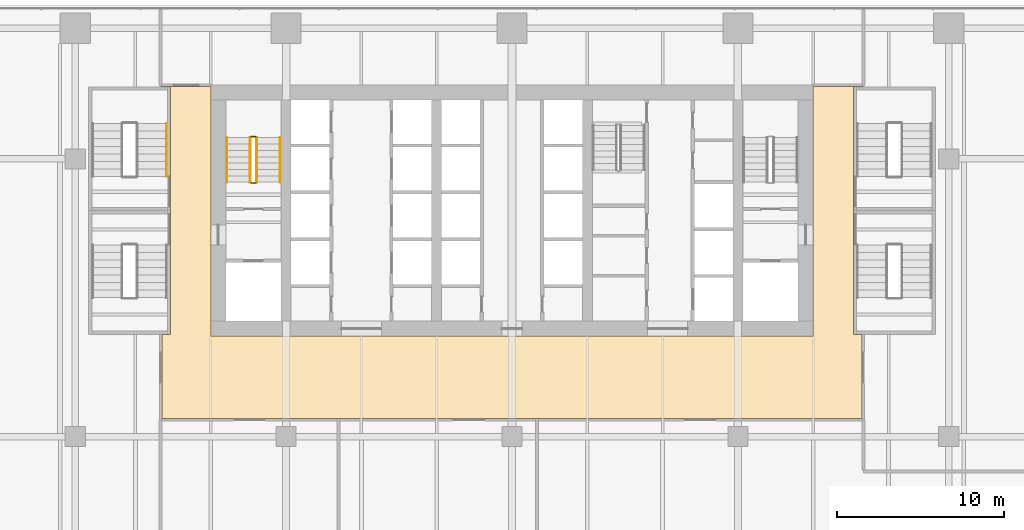
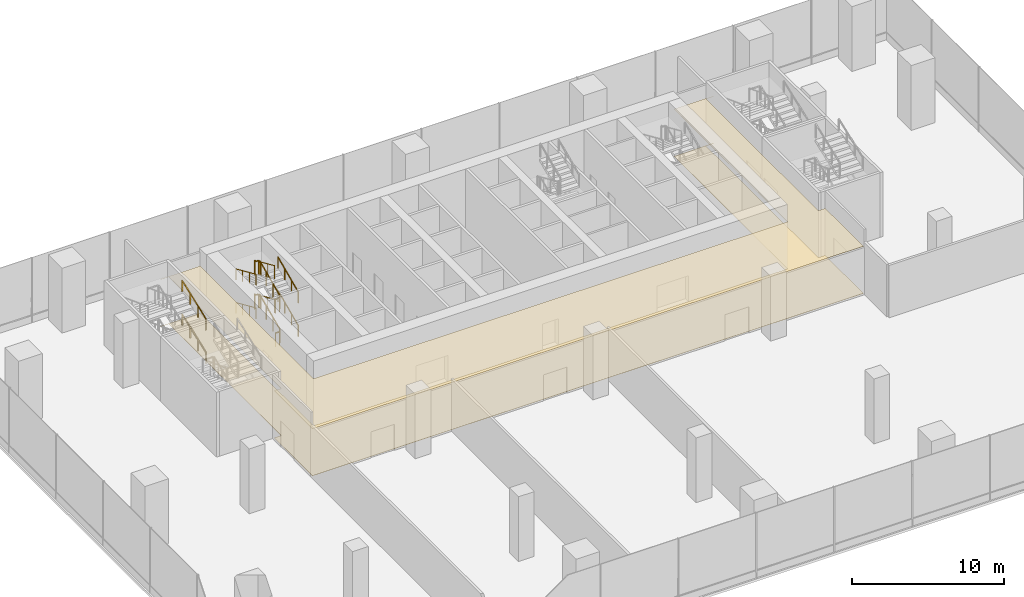
# One storey, part 24 of 26: 14 railings, 2 coverings.
"""IFC4 building model written with IfcOpenShell, lengths in metres."""

from ifc_helpers import new_model, si_unit, direction, frame, origin, origin_2d, place, context, subcontext, project, spatial, polyline, rectangle, outline, extrude, material, layer, layer_set, type_object, element, save


model = new_model("IFC4")

# Units and contexts
model_context = context("Model", 3, precision=1e-05, world=origin(), true_north=direction((0.0, 1.0)))
body_context = subcontext(model_context, "Body", "Model", "MODEL_VIEW")
ifc_project = project(units=[si_unit("LENGTHUNIT", "METRE"), si_unit("AREAUNIT", "SQUARE_METRE"), si_unit("VOLUMEUNIT", "CUBIC_METRE"), si_unit("PLANEANGLEUNIT", "RADIAN"), si_unit("MASSUNIT", "GRAM", prefix="KILO")], contexts=[model_context])

# Site, building, storey
site_placement = place(None, origin())
site = spatial("IfcSite", under=ifc_project, at=site_placement, CompositionType="ELEMENT")
building_placement = place(site_placement, origin())
building = spatial("IfcBuilding", under=site, at=building_placement, Name="Rattan Terrace Tower", CompositionType="ELEMENT")
storey_placement = place(building_placement, frame((0.0, 0.0, 7.199951171875)))
storey = spatial("IfcBuildingStorey", under=building, at=storey_placement, Name="L01", CompositionType="ELEMENT", Elevation=7.199951171875)

# Railings
ifc_material_1 = material(Name="Powder-coated steel guard", Category="steel")
railing_type_1 = type_object("IfcRailingType", Name="Core stair guard", PredefinedType="GUARDRAIL", material=ifc_material_1)
railing_1_placement = place(storey_placement, frame((-15.25, 1.699951171875, 0.168701171875)))
element("IfcRailing", 1, at=railing_1_placement, inside=storey, type_object=railing_type_1, Name="L01 S1 stair guard 1", PredefinedType="GUARDRAIL", context=body_context, shape_type="SweptSolid", body=[
    extrude(rectangle(XDim=0.048095703125, YDim=0.048095703125, at=origin_2d()), frame((0.0, 0.0, 1.076171875), z_axis=(0.0, 0.913925654661, 0.405881630223), x_axis=(-1.0, 0.0, 0.0)), (0.0, 0.0, 1.0), 2.91064453125),
    extrude(rectangle(XDim=0.0419921875, YDim=0.0419921875, at=origin_2d()), origin(), (0.0, 0.0, 1.0), 1.052001953125),
    extrude(rectangle(XDim=0.0419921875, YDim=0.0419921875, at=origin_2d()), frame((0.0, 0.88671875, 0.393798828125)), (0.0, 0.0, 1.0), 1.052001953125),
    extrude(rectangle(XDim=0.0419921875, YDim=0.0419921875, at=origin_2d()), frame((0.0, 1.7734375, 0.78759765625)), (0.0, 0.0, 1.0), 1.052001953125),
    extrude(rectangle(XDim=0.0419921875, YDim=0.0419921875, at=origin_2d()), frame((0.0, 2.66015625, 1.181396484375)), (0.0, 0.0, 1.0), 1.052001953125),
])
railing_2_placement = place(storey_placement, frame((-15.300048828125, 4.409912109375, 1.35009765625)))
element("IfcRailing", 2, at=railing_2_placement, inside=storey, type_object=railing_type_1, Name="L01 S1 stair guard 2", PredefinedType="GUARDRAIL", context=body_context, shape_type="SweptSolid", body=[
    extrude(rectangle(XDim=0.048095703125, YDim=0.048095703125, at=origin_2d()), frame((0.0, 0.0, 1.076171875), z_axis=(-1.0, 0.0, 0.0), x_axis=(0.0, -1.0, 0.0)), (0.0, 0.0, 1.0), 0.300048828125),
    extrude(rectangle(XDim=0.0419921875, YDim=0.0419921875, at=origin_2d()), origin(), (0.0, 0.0, 1.0), 1.052001953125),
    extrude(rectangle(XDim=0.0419921875, YDim=0.0419921875, at=origin_2d()), frame((-0.300048828125, 0.0, 0.0)), (0.0, 0.0, 1.0), 1.052001953125),
])
railing_3_placement = place(storey_placement, frame((-15.64990234375, 4.360107421875, 1.518798828125)))
element("IfcRailing", 3, at=railing_3_placement, inside=storey, type_object=railing_type_1, Name="L01 S1 stair guard 3", PredefinedType="GUARDRAIL", context=body_context, shape_type="SweptSolid", body=[
    extrude(rectangle(XDim=0.048095703125, YDim=0.048095703125, at=origin_2d()), frame((0.0, 0.0, 1.076171875), z_axis=(0.0, -0.913956766905, 0.405811567391), x_axis=(1.0, 0.0, 0.0)), (0.0, 0.0, 1.0), 2.91064453125),
    extrude(rectangle(XDim=0.0419921875, YDim=0.0419921875, at=origin_2d()), origin(), (0.0, 0.0, 1.0), 1.052001953125),
    extrude(rectangle(XDim=0.0419921875, YDim=0.0419921875, at=origin_2d()), frame((0.0, -0.88671875, 0.393798828125)), (0.0, 0.0, 1.0), 1.052001953125),
    extrude(rectangle(XDim=0.0419921875, YDim=0.0419921875, at=origin_2d()), frame((0.0, -1.7734375, 0.787353515625)), (0.0, 0.0, 1.0), 1.052001953125),
    extrude(rectangle(XDim=0.0419921875, YDim=0.0419921875, at=origin_2d()), frame((0.0, -2.66015625, 1.18115234375)), (0.0, 0.0, 1.0), 1.052001953125),
])
railing_4_placement = place(storey_placement, frame((-15.300048828125, 1.64990234375, 2.699951171875)))
element("IfcRailing", 4, at=railing_4_placement, inside=storey, type_object=railing_type_1, Name="L01 S1 stair guard 4", PredefinedType="GUARDRAIL", context=body_context, shape_type="SweptSolid", body=[
    extrude(rectangle(XDim=0.048095703125, YDim=0.048095703125, at=origin_2d()), frame((0.0, 0.0, 1.076171875), z_axis=(-1.0, 0.0, 0.0), x_axis=(0.0, -1.0, 0.0)), (0.0, 0.0, 1.0), 0.300048828125),
    extrude(rectangle(XDim=0.0419921875, YDim=0.0419921875, at=origin_2d()), origin(), (0.0, 0.0, 1.0), 1.052001953125),
    extrude(rectangle(XDim=0.0419921875, YDim=0.0419921875, at=origin_2d()), frame((-0.300048828125, 0.0, 0.0)), (0.0, 0.0, 1.0), 1.052001953125),
])
railing_5_placement = place(storey_placement, frame((-15.25, 1.699951171875, 2.868896484375)))
element("IfcRailing", 5, at=railing_5_placement, inside=storey, type_object=railing_type_1, Name="L01 S1 stair guard 5", PredefinedType="GUARDRAIL", context=body_context, shape_type="SweptSolid", body=[
    extrude(rectangle(XDim=0.048095703125, YDim=0.048095703125, at=origin_2d()), frame((0.0, 0.0, 1.076171875), z_axis=(0.0, 0.913956766905, 0.405811567391), x_axis=(-1.0, 0.0, 0.0)), (0.0, 0.0, 1.0), 2.91064453125),
    extrude(rectangle(XDim=0.0419921875, YDim=0.0419921875, at=origin_2d()), origin(), (0.0, 0.0, 1.0), 1.052001953125),
    extrude(rectangle(XDim=0.0419921875, YDim=0.0419921875, at=origin_2d()), frame((0.0, 0.88671875, 0.393798828125)), (0.0, 0.0, 1.0), 1.052001953125),
    extrude(rectangle(XDim=0.0419921875, YDim=0.0419921875, at=origin_2d()), frame((0.0, 1.7734375, 0.787353515625)), (0.0, 0.0, 1.0), 1.052001953125),
    extrude(rectangle(XDim=0.0419921875, YDim=0.0419921875, at=origin_2d()), frame((0.0, 2.66015625, 1.18115234375)), (0.0, 0.0, 1.0), 1.052001953125),
])
railing_6_placement = place(storey_placement, frame((-15.300048828125, 4.409912109375, 4.050048828125)))
element("IfcRailing", 6, at=railing_6_placement, inside=storey, type_object=railing_type_1, Name="L01 S1 stair guard 6", PredefinedType="GUARDRAIL", context=body_context, shape_type="SweptSolid", body=[
    extrude(rectangle(XDim=0.048095703125, YDim=0.048095703125, at=origin_2d()), frame((0.0, 0.0, 1.076171875), z_axis=(-1.0, 0.0, 0.0), x_axis=(0.0, -1.0, 0.0)), (0.0, 0.0, 1.0), 0.300048828125),
    extrude(rectangle(XDim=0.0419921875, YDim=0.0419921875, at=origin_2d()), origin(), (0.0, 0.0, 1.0), 1.052001953125),
    extrude(rectangle(XDim=0.0419921875, YDim=0.0419921875, at=origin_2d()), frame((-0.300048828125, 0.0, 0.0)), (0.0, 0.0, 1.0), 1.052001953125),
])
railing_7_placement = place(storey_placement, frame((-15.64990234375, 4.360107421875, 4.21875)))
element("IfcRailing", 7, at=railing_7_placement, inside=storey, type_object=railing_type_1, Name="L01 S1 stair guard 7", PredefinedType="GUARDRAIL", context=body_context, shape_type="SweptSolid", body=[
    extrude(rectangle(XDim=0.048095703125, YDim=0.048095703125, at=origin_2d()), frame((0.0, 0.0, 1.076171875), z_axis=(0.0, -0.913925654661, 0.405881630223), x_axis=(1.0, 0.0, 0.0)), (0.0, 0.0, 1.0), 2.91064453125),
    extrude(rectangle(XDim=0.0419921875, YDim=0.0419921875, at=origin_2d()), origin(), (0.0, 0.0, 1.0), 1.052001953125),
    extrude(rectangle(XDim=0.0419921875, YDim=0.0419921875, at=origin_2d()), frame((0.0, -0.88671875, 0.393798828125)), (0.0, 0.0, 1.0), 1.052001953125),
    extrude(rectangle(XDim=0.0419921875, YDim=0.0419921875, at=origin_2d()), frame((0.0, -1.7734375, 0.78759765625)), (0.0, 0.0, 1.0), 1.052001953125),
    extrude(rectangle(XDim=0.0419921875, YDim=0.0419921875, at=origin_2d()), frame((0.0, -2.66015625, 1.181396484375)), (0.0, 0.0, 1.0), 1.052001953125),
])
railing_8_placement = place(storey_placement, frame((-15.300048828125, 1.64990234375, 0.0)))
element("IfcRailing", 8, at=railing_8_placement, inside=storey, type_object=railing_type_1, Name="L01 S1 stair guard 8", PredefinedType="GUARDRAIL", context=body_context, shape_type="SweptSolid", body=[
    extrude(rectangle(XDim=0.048095703125, YDim=0.048095703125, at=origin_2d()), frame((0.0, 0.0, 1.076171875), z_axis=(-1.0, 0.0, 0.0), x_axis=(0.0, -1.0, 0.0)), (0.0, 0.0, 1.0), 0.300048828125),
    extrude(rectangle(XDim=0.0419921875, YDim=0.0419921875, at=origin_2d()), origin(), (0.0, 0.0, 1.0), 1.052001953125),
    extrude(rectangle(XDim=0.0419921875, YDim=0.0419921875, at=origin_2d()), frame((-0.300048828125, 0.0, 0.0)), (0.0, 0.0, 1.0), 1.052001953125),
])
ifc_material_2 = material(Name="Powder-coated steel handrail", Category="steel")
railing_type_2 = type_object("IfcRailingType", Name="Core stair handrail", PredefinedType="HANDRAIL", material=ifc_material_2)
railing_9_placement = place(storey_placement, frame((-13.85009765625, 1.699951171875, 0.168701171875)))
element("IfcRailing", 9, at=railing_9_placement, inside=storey, type_object=railing_type_2, Name="L01 S1 stair handrail 1", PredefinedType="HANDRAIL", context=body_context, shape_type="SweptSolid", body=[
    extrude(rectangle(XDim=0.048095703125, YDim=0.048095703125, at=origin_2d()), frame((0.0, 0.0, 0.8759765625), z_axis=(0.0, 0.913925654661, 0.405881630223), x_axis=(-1.0, 0.0, 0.0)), (0.0, 0.0, 1.0), 2.91064453125),
    extrude(rectangle(XDim=0.0419921875, YDim=0.0419921875, at=origin_2d()), origin(), (0.0, 0.0, 1.0), 0.851806640625),
    extrude(rectangle(XDim=0.0419921875, YDim=0.0419921875, at=origin_2d()), frame((0.0, 0.88671875, 0.393798828125)), (0.0, 0.0, 1.0), 0.851806640625),
    extrude(rectangle(XDim=0.0419921875, YDim=0.0419921875, at=origin_2d()), frame((0.0, 1.7734375, 0.78759765625)), (0.0, 0.0, 1.0), 0.851806640625),
    extrude(rectangle(XDim=0.0419921875, YDim=0.0419921875, at=origin_2d()), frame((0.0, 2.66015625, 1.181396484375)), (0.0, 0.0, 1.0), 0.851806640625),
])
railing_10_placement = place(storey_placement, frame((-17.050048828125, 4.360107421875, 1.518798828125)))
element("IfcRailing", 10, at=railing_10_placement, inside=storey, type_object=railing_type_2, Name="L01 S1 stair handrail 2", PredefinedType="HANDRAIL", context=body_context, shape_type="SweptSolid", body=[
    extrude(rectangle(XDim=0.048095703125, YDim=0.048095703125, at=origin_2d()), frame((0.0, 0.0, 0.8759765625), z_axis=(0.0, -0.913956766905, 0.405811567391), x_axis=(1.0, 0.0, 0.0)), (0.0, 0.0, 1.0), 2.91064453125),
    extrude(rectangle(XDim=0.0419921875, YDim=0.0419921875, at=origin_2d()), origin(), (0.0, 0.0, 1.0), 0.851806640625),
    extrude(rectangle(XDim=0.0419921875, YDim=0.0419921875, at=origin_2d()), frame((0.0, -0.88671875, 0.393798828125)), (0.0, 0.0, 1.0), 0.851806640625),
    extrude(rectangle(XDim=0.0419921875, YDim=0.0419921875, at=origin_2d()), frame((0.0, -1.7734375, 0.787353515625)), (0.0, 0.0, 1.0), 0.851806640625),
    extrude(rectangle(XDim=0.0419921875, YDim=0.0419921875, at=origin_2d()), frame((0.0, -2.66015625, 1.18115234375)), (0.0, 0.0, 1.0), 0.851806640625),
])
railing_11_placement = place(storey_placement, frame((-13.85009765625, 1.699951171875, 2.868896484375)))
element("IfcRailing", 11, at=railing_11_placement, inside=storey, type_object=railing_type_2, Name="L01 S1 stair handrail 3", PredefinedType="HANDRAIL", context=body_context, shape_type="SweptSolid", body=[
    extrude(rectangle(XDim=0.048095703125, YDim=0.048095703125, at=origin_2d()), frame((0.0, 0.0, 0.8759765625), z_axis=(0.0, 0.913956766905, 0.405811567391), x_axis=(-1.0, 0.0, 0.0)), (0.0, 0.0, 1.0), 2.91064453125),
    extrude(rectangle(XDim=0.0419921875, YDim=0.0419921875, at=origin_2d()), origin(), (0.0, 0.0, 1.0), 0.851806640625),
    extrude(rectangle(XDim=0.0419921875, YDim=0.0419921875, at=origin_2d()), frame((0.0, 0.88671875, 0.393798828125)), (0.0, 0.0, 1.0), 0.851806640625),
    extrude(rectangle(XDim=0.0419921875, YDim=0.0419921875, at=origin_2d()), frame((0.0, 1.7734375, 0.787353515625)), (0.0, 0.0, 1.0), 0.851806640625),
    extrude(rectangle(XDim=0.0419921875, YDim=0.0419921875, at=origin_2d()), frame((0.0, 2.66015625, 1.18115234375)), (0.0, 0.0, 1.0), 0.851806640625),
])
railing_12_placement = place(storey_placement, frame((-17.050048828125, 4.360107421875, 4.21875)))
element("IfcRailing", 12, at=railing_12_placement, inside=storey, type_object=railing_type_2, Name="L01 S1 stair handrail 4", PredefinedType="HANDRAIL", context=body_context, shape_type="SweptSolid", body=[
    extrude(rectangle(XDim=0.048095703125, YDim=0.048095703125, at=origin_2d()), frame((0.0, 0.0, 0.8759765625), z_axis=(0.0, -0.913925654661, 0.405881630223), x_axis=(1.0, 0.0, 0.0)), (0.0, 0.0, 1.0), 2.91064453125),
    extrude(rectangle(XDim=0.0419921875, YDim=0.0419921875, at=origin_2d()), origin(), (0.0, 0.0, 1.0), 0.851806640625),
    extrude(rectangle(XDim=0.0419921875, YDim=0.0419921875, at=origin_2d()), frame((0.0, -0.88671875, 0.393798828125)), (0.0, 0.0, 1.0), 0.851806640625),
    extrude(rectangle(XDim=0.0419921875, YDim=0.0419921875, at=origin_2d()), frame((0.0, -1.7734375, 0.78759765625)), (0.0, 0.0, 1.0), 0.851806640625),
    extrude(rectangle(XDim=0.0419921875, YDim=0.0419921875, at=origin_2d()), frame((0.0, -2.66015625, 1.181396484375)), (0.0, 0.0, 1.0), 0.851806640625),
])
railing_13_placement = place(storey_placement, frame((-20.64990234375, 2.050048828125, 0.168701171875)))
element("IfcRailing", 13, at=railing_13_placement, inside=storey, type_object=railing_type_2, Name="L01 S5 stair handrail 1", PredefinedType="HANDRAIL", context=body_context, shape_type="SweptSolid", body=[
    extrude(rectangle(XDim=0.048095703125, YDim=0.048095703125, at=origin_2d()), frame((0.0, 0.0, 0.8759765625), z_axis=(0.0, 0.936311282129, 0.351171159062), x_axis=(-1.0, 0.0, 0.0)), (0.0, 0.0, 1.0), 3.3642578125),
    extrude(rectangle(XDim=0.0419921875, YDim=0.0419921875, at=origin_2d()), origin(), (0.0, 0.0, 1.0), 0.851806640625),
    extrude(rectangle(XDim=0.0419921875, YDim=0.0419921875, at=origin_2d()), frame((0.0, 1.050048828125, 0.393798828125)), (0.0, 0.0, 1.0), 0.851806640625),
    extrude(rectangle(XDim=0.0419921875, YDim=0.0419921875, at=origin_2d()), frame((0.0, 2.099853515625, 0.78759765625)), (0.0, 0.0, 1.0), 0.851806640625),
    extrude(rectangle(XDim=0.0419921875, YDim=0.0419921875, at=origin_2d()), frame((0.0, 3.14990234375, 1.181396484375)), (0.0, 0.0, 1.0), 0.851806640625),
])
railing_14_placement = place(storey_placement, frame((-20.64990234375, 2.050048828125, 2.868896484375)))
element("IfcRailing", 14, at=railing_14_placement, inside=storey, type_object=railing_type_2, Name="L01 S5 stair handrail 3", PredefinedType="HANDRAIL", context=body_context, shape_type="SweptSolid", body=[
    extrude(rectangle(XDim=0.048095703125, YDim=0.048095703125, at=origin_2d()), frame((0.0, 0.0, 0.8759765625), z_axis=(0.0, 0.936335142327, 0.351107535156), x_axis=(-1.0, 0.0, 0.0)), (0.0, 0.0, 1.0), 3.364013671875),
    extrude(rectangle(XDim=0.0419921875, YDim=0.0419921875, at=origin_2d()), origin(), (0.0, 0.0, 1.0), 0.851806640625),
    extrude(rectangle(XDim=0.0419921875, YDim=0.0419921875, at=origin_2d()), frame((0.0, 1.050048828125, 0.393798828125)), (0.0, 0.0, 1.0), 0.851806640625),
    extrude(rectangle(XDim=0.0419921875, YDim=0.0419921875, at=origin_2d()), frame((0.0, 2.099853515625, 0.787353515625)), (0.0, 0.0, 1.0), 0.851806640625),
    extrude(rectangle(XDim=0.0419921875, YDim=0.0419921875, at=origin_2d()), frame((0.0, 3.14990234375, 1.18115234375)), (0.0, 0.0, 1.0), 0.851806640625),
])

# Coverings
ifc_material_3 = material(Name="Polished limestone", Category="masonry")
ifc_layer_1 = layer(ifc_material_3, 0.02001953125)
ifc_layer_set_1 = layer_set([ifc_layer_1], Name="Lobby Floor Finish Stone 20")
covering_type_1 = type_object("IfcCoveringType", Name="Lobby Floor Finish Stone 20", PredefinedType="FLOORING", material=ifc_layer_set_1)
covering_1_placement = place(storey_placement, origin())
element("IfcCovering", 15, at=covering_1_placement, inside=storey, type_object=covering_type_1, Name="Floor finish L01-101", PredefinedType="FLOORING", context=body_context, shape_type="SweptSolid", body=[
    extrude(outline(polyline([(-20.39990234375, 7.39990234375), (-20.39990234375, 0.0), (-20.39990234375, -7.39990234375), (-20.925048828125, -7.39990234375), (-20.925048828125, -12.425048828125), (20.925048828125, -12.425048828125), (20.925048828125, -7.39990234375), (20.39990234375, -7.39990234375), (20.39990234375, 0.0), (20.39990234375, 7.39990234375), (21.0, 7.39990234375), (21.0, 7.425048828125), (18.0, 7.425048828125), (18.0, -7.5), (-18.0, -7.5), (-18.0, 7.425048828125), (-21.0, 7.425048828125), (-21.0, 7.39990234375), (-20.39990234375, 7.39990234375)])), origin(), (0.0, 0.0, 1.0), 0.02001953125),
])
ifc_material_4 = material(Name="Gypsum board, painted")
ifc_layer_2 = layer(ifc_material_4, 0.02490234375)
ifc_layer_set_2 = layer_set([ifc_layer_2], Name="Suspended Ceiling Gypsum 25")
covering_type_2 = type_object("IfcCoveringType", Name="Suspended Ceiling Gypsum 25", PredefinedType="CEILING", material=ifc_layer_set_2)
covering_2_placement = place(storey_placement, frame((0.0, 0.0, 3.775146484375)))
element("IfcCovering", 16, at=covering_2_placement, inside=storey, type_object=covering_type_2, Name="Ceiling L01-101", PredefinedType="CEILING", context=body_context, shape_type="SweptSolid", body=[
    extrude(outline(polyline([(-20.39990234375, 7.39990234375), (-20.39990234375, 0.0), (-20.39990234375, -7.39990234375), (-20.925048828125, -7.39990234375), (-20.925048828125, -12.425048828125), (20.925048828125, -12.425048828125), (20.925048828125, -7.39990234375), (20.39990234375, -7.39990234375), (20.39990234375, 0.0), (20.39990234375, 7.39990234375), (21.0, 7.39990234375), (21.0, 7.425048828125), (18.0, 7.425048828125), (18.0, -7.5), (-18.0, -7.5), (-18.0, 7.425048828125), (-21.0, 7.425048828125), (-21.0, 7.39990234375), (-20.39990234375, 7.39990234375)])), origin(), (0.0, 0.0, 1.0), 0.02490234375),
])

save(model, "model.ifc")
